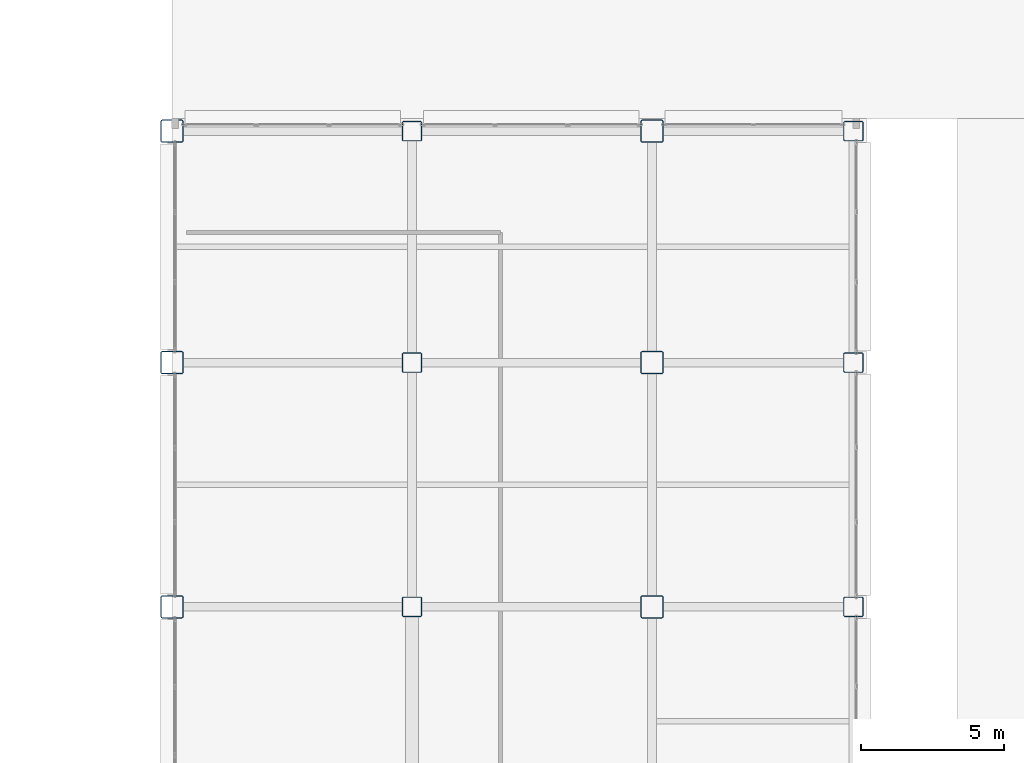
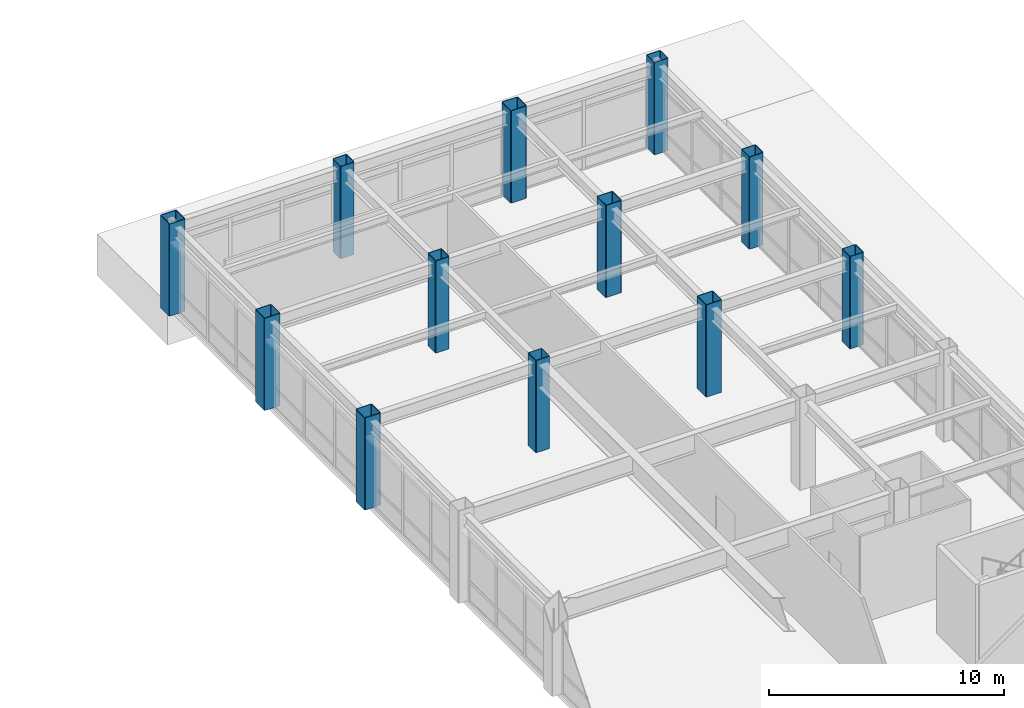
# One storey, part 7 of 172: 12 columns.
"""IFC4 building model written with IfcOpenShell, lengths in metres."""

from ifc_helpers import new_model, si_unit, direction, frame, origin, origin_2d, place, context, subcontext, project, spatial, hollow_rectangle, extrude, material, material_profile, profile_set, type_object, element, save


model = new_model("IFC4")

# Units and contexts
model_context = context("Model", 3, precision=1e-05, world=origin(), true_north=direction((0.0, 1.0)))
body_context = subcontext(model_context, "Body", "Model", "MODEL_VIEW")
ifc_project = project(units=[si_unit("LENGTHUNIT", "METRE"), si_unit("AREAUNIT", "SQUARE_METRE"), si_unit("VOLUMEUNIT", "CUBIC_METRE"), si_unit("PLANEANGLEUNIT", "RADIAN"), si_unit("MASSUNIT", "GRAM", prefix="KILO")], contexts=[model_context])

# Site, building, storey
site_placement = place(None, origin())
site = spatial("IfcSite", under=ifc_project, at=site_placement, CompositionType="ELEMENT")
building_placement = place(site_placement, origin())
building = spatial("IfcBuilding", under=site, at=building_placement, Name="Kazehara Bluff Congress Hotel", CompositionType="ELEMENT")
storey_placement = place(building_placement, frame((0.0, 0.0, 5.39990234375)))
storey = spatial("IfcBuildingStorey", under=building, at=storey_placement, Name="L01", CompositionType="ELEMENT", Elevation=5.39990234375)

# Columns
ifc_material_1 = material(Name="Steel BCR295", Category="steel")
ifc_material_profile_1 = material_profile(ifc_material_1, hollow_rectangle(XDim=0.800048828125, YDim=0.800048828125, WallThickness=0.031982421875, InnerFilletRadius=0.031982421875, OuterFilletRadius=0.06396484375, at=origin_2d()))
ifc_profile_set_1 = profile_set([ifc_material_profile_1], Name="Steel BCR295")
column_type_1 = type_object("IfcColumnType", Name="TP-C-02", PredefinedType="COLUMN", material=ifc_profile_set_1)
for number, where, z_axis, x_axis, name in (
    (1, (143.699951171875, 96.89990234375, 0.0), (0.0, 0.0, 1.0), (1.0, 0.0, 0.0), "L01 column C-02 (143.70,96.90)"),
    (2, (143.699951171875, 105.449951171875, 0.0), (0.0, 0.0, 1.0), (1.0, 0.0, 0.0), "L01 column C-02 (143.70,105.45)"),
    (3, (143.699951171875, 113.550048828125, 0.0), (0.0, 0.0, 1.0), (1.0, 0.0, 0.0), "L01 column C-02 (143.70,113.55)"),
    (4, (160.5, 96.89990234375, 0.0), (0.0, 0.0, 1.0), (1.0, 0.0, 0.0), "L01 column C-02 (160.50,96.90)"),
    (5, (160.5, 105.449951171875, 0.0), (0.0, 0.0, 1.0), (1.0, 0.0, 0.0), "L01 column C-02 (160.50,105.45)"),
    (6, (160.5, 113.550048828125, 0.0), (0.0, 0.0, 1.0), (1.0, 0.0, 0.0), "L01 column C-02 (160.50,113.55)"),
):
    element("IfcColumn", number, at=place(storey_placement, frame(where, z_axis=z_axis, x_axis=x_axis)), inside=storey, type_object=column_type_1, Name=name, PredefinedType="COLUMN", context=body_context, shape_type="SweptSolid", body=[
        extrude(hollow_rectangle(XDim=0.800048828125, YDim=0.800048828125, WallThickness=0.031982421875, InnerFilletRadius=0.031982421875, OuterFilletRadius=0.06396484375, at=origin_2d()), origin(), (0.0, 0.0, 1.0), 4.800048828125),
    ])
ifc_material_2 = material(Name="Steel BCR295", Category="steel")
ifc_material_profile_2 = material_profile(ifc_material_2, hollow_rectangle(XDim=0.699951171875, YDim=0.699951171875, WallThickness=0.028076171875, InnerFilletRadius=0.028076171875, OuterFilletRadius=0.055908203125, at=origin_2d()))
ifc_profile_set_2 = profile_set([ifc_material_profile_2], Name="Steel BCR295")
column_type_2 = type_object("IfcColumnType", Name="TP-C-03", PredefinedType="COLUMN", material=ifc_profile_set_2)
for number, where, z_axis, x_axis, name in (
    (7, (152.10009765625, 96.89990234375, 0.0), (0.0, 0.0, 1.0), (1.0, 0.0, 0.0), "L01 column C-03 (152.10,96.90)"),
    (8, (152.10009765625, 105.449951171875, 0.0), (0.0, 0.0, 1.0), (1.0, 0.0, 0.0), "L01 column C-03 (152.10,105.45)"),
    (9, (152.10009765625, 113.550048828125, 0.0), (0.0, 0.0, 1.0), (1.0, 0.0, 0.0), "L01 column C-03 (152.10,113.55)"),
    (10, (167.550048828125, 96.89990234375, 0.0), (0.0, 0.0, 1.0), (1.0, 0.0, 0.0), "L01 column C-03 (167.55,96.90)"),
    (11, (167.550048828125, 105.449951171875, 0.0), (0.0, 0.0, 1.0), (1.0, 0.0, 0.0), "L01 column C-03 (167.55,105.45)"),
    (12, (167.550048828125, 113.550048828125, 0.0), (0.0, 0.0, 1.0), (1.0, 0.0, 0.0), "L01 column C-03 (167.55,113.55)"),
):
    element("IfcColumn", number, at=place(storey_placement, frame(where, z_axis=z_axis, x_axis=x_axis)), inside=storey, type_object=column_type_2, Name=name, PredefinedType="COLUMN", context=body_context, shape_type="SweptSolid", body=[
        extrude(hollow_rectangle(XDim=0.699951171875, YDim=0.699951171875, WallThickness=0.028076171875, InnerFilletRadius=0.028076171875, OuterFilletRadius=0.055908203125, at=origin_2d()), origin(), (0.0, 0.0, 1.0), 4.800048828125),
    ])

save(model, "model.ifc")
